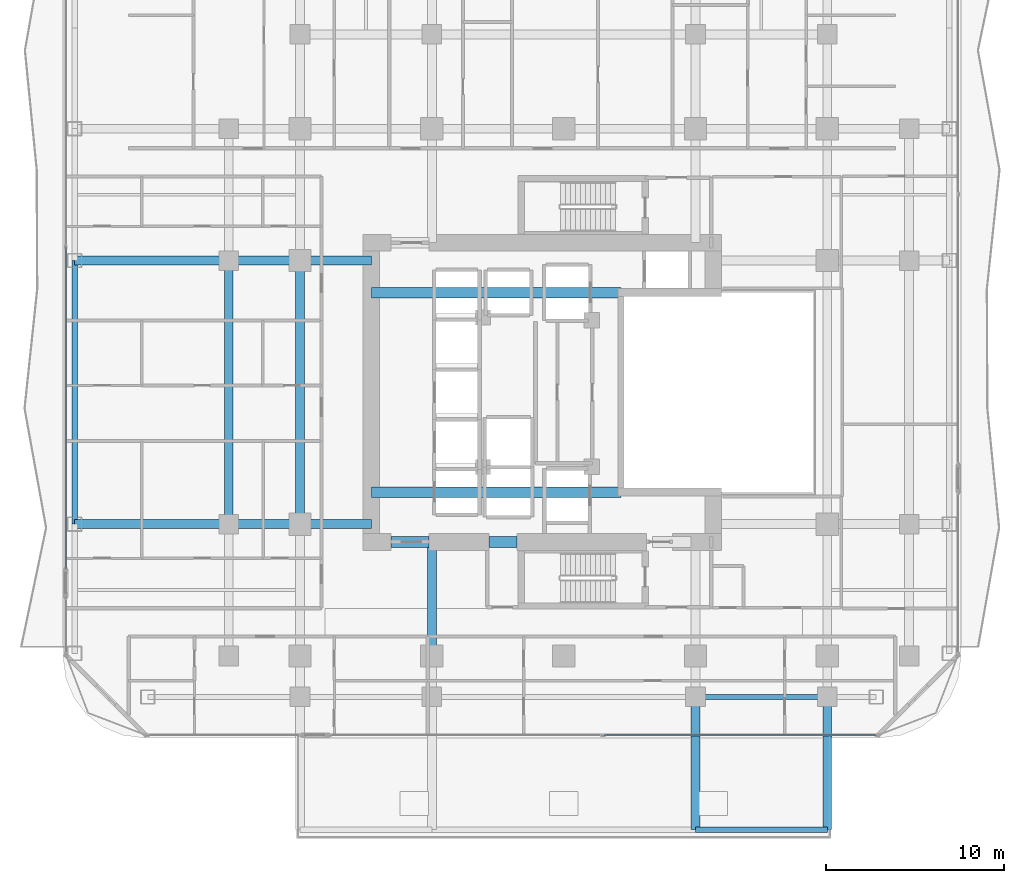
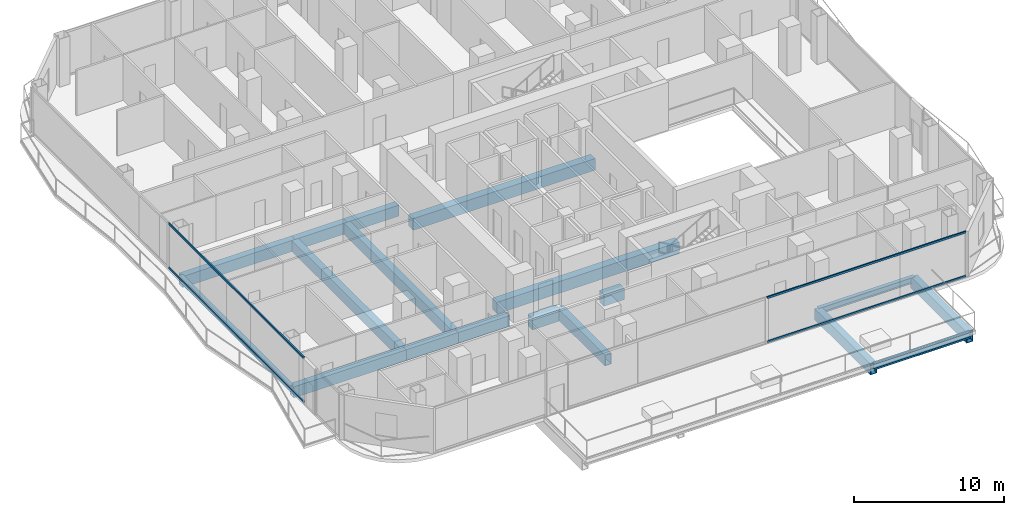
# One storey, part 5 of 29: 18 beams, 4 members, 2 elements without a shape of their own.
"""IFC4 building model written with IfcOpenShell, lengths in metres."""

from ifc_helpers import new_model, si_unit, direction, frame, origin, origin_2d, place, context, subcontext, project, spatial, rectangle, hollow_rectangle, i_section, extrude, material, layer, layer_set, material_profile, profile_set, type_object, element, aggregate, save


model = new_model("IFC4")

# Units and contexts
model_context = context("Model", 3, precision=1e-05, world=origin(), true_north=direction((0.0, 1.0)))
body_context = subcontext(model_context, "Body", "Model", "MODEL_VIEW")
ifc_project = project(units=[si_unit("LENGTHUNIT", "METRE"), si_unit("AREAUNIT", "SQUARE_METRE"), si_unit("VOLUMEUNIT", "CUBIC_METRE"), si_unit("PLANEANGLEUNIT", "RADIAN"), si_unit("MASSUNIT", "GRAM", prefix="KILO")], contexts=[model_context])

# Site, building, storey
site_placement = place(None, origin())
site = spatial("IfcSite", under=ifc_project, at=site_placement, CompositionType="ELEMENT")
building_placement = place(site_placement, origin())
building = spatial("IfcBuilding", under=site, at=building_placement, Name="Khorvyn Point Tower", CompositionType="ELEMENT")
storey_placement = place(building_placement, frame((0.0, 0.0, 85.199951171875)))
storey = spatial("IfcBuildingStorey", under=building, at=storey_placement, Name="L21", CompositionType="ELEMENT", Elevation=85.199951171875)

# Curtain wall, members
ifc_material_1 = material(Name="Anodised aluminium 6063-T6 and laminated Low-E glass", Category="aluminium")
ifc_layer = layer(ifc_material_1, 0.18994140625)
ifc_layer_set = layer_set([ifc_layer], Name="Stick-Built Finned Residential Curtain Wall CW-SYS-02")
curtain_wall_type = type_object("IfcCurtainWallType", Name="Stick-Built Finned Residential Curtain Wall CW-SYS-02", PredefinedType="NOTDEFINED", material=ifc_layer_set)
curtain_wall_1_placement = place(storey_placement, origin())
curtain_wall_1 = element("IfcCurtainWall", 1, at=curtain_wall_1_placement, inside=storey, type_object=curtain_wall_type, Name="Curtain Wall", PredefinedType="NOTDEFINED")
ifc_material_2 = material(Name="Anodised aluminium 6063-T6", Category="aluminium")
ifc_material_profile_1 = material_profile(ifc_material_2, hollow_rectangle(XDim=0.10009765625, YDim=0.159912109375, WallThickness=0.00439453125, at=origin_2d()))
ifc_profile_set_1 = profile_set([ifc_material_profile_1], Name="Anodised aluminium 6063-T6 ALU-TRN-100x160")
member_type = type_object("IfcMemberType", Name="Anodised Aluminium 6063-T6 Transom ALU-TRN-100x160", PredefinedType="USERDEFINED", material=ifc_profile_set_1)
member_1_placement = place(storey_placement, frame((17.550048828125, -19.25, 0.050048828125), z_axis=(-1.0, 0.0, 0.0), x_axis=(0.0, -1.0, 0.0)))
member_1 = element("IfcMember", 2, at=member_1_placement, type_object=member_type, Name="Transom", ObjectType="TRANSOM", PredefinedType="USERDEFINED", context=body_context, shape_type="SweptSolid", body=[
    extrude(hollow_rectangle(XDim=0.10009765625, YDim=0.159912109375, WallThickness=0.00439453125, at=origin_2d()), origin(), (0.0, 0.0, 1.0), 15.2900390625),
])
member_2_placement = place(storey_placement, frame((17.550048828125, -19.25, 3.630126953125), z_axis=(-1.0, 0.0, 0.0), x_axis=(0.0, -1.0, 0.0)))
member_2 = element("IfcMember", 3, at=member_2_placement, type_object=member_type, Name="Transom", ObjectType="TRANSOM", PredefinedType="USERDEFINED", context=body_context, shape_type="SweptSolid", body=[
    extrude(hollow_rectangle(XDim=0.10009765625, YDim=0.159912109375, WallThickness=0.00439453125, at=origin_2d()), origin(), (0.0, 0.0, 1.0), 15.2900390625),
])
aggregate(curtain_wall_1, [member_1, member_2])

curtain_wall_2_placement = place(storey_placement, origin())
curtain_wall_2 = element("IfcCurtainWall", 4, at=curtain_wall_2_placement, inside=storey, type_object=curtain_wall_type, Name="Curtain Wall", PredefinedType="NOTDEFINED")
member_3_placement = place(storey_placement, frame((-27.949951171875, -9.89990234375, 0.050048828125), z_axis=(0.0, 1.0, 0.0), x_axis=(-1.0, 0.0, 0.0)))
member_3 = element("IfcMember", 5, at=member_3_placement, type_object=member_type, Name="Transom", ObjectType="TRANSOM", PredefinedType="USERDEFINED", context=body_context, shape_type="SweptSolid", body=[
    extrude(hollow_rectangle(XDim=0.10009765625, YDim=0.159912109375, WallThickness=0.00439453125, at=origin_2d()), origin(), (0.0, 0.0, 1.0), 18.02490234375),
])
member_4_placement = place(storey_placement, frame((-27.949951171875, -9.89990234375, 3.630126953125), z_axis=(0.0, 1.0, 0.0), x_axis=(-1.0, 0.0, 0.0)))
member_4 = element("IfcMember", 6, at=member_4_placement, type_object=member_type, Name="Transom", ObjectType="TRANSOM", PredefinedType="USERDEFINED", context=body_context, shape_type="SweptSolid", body=[
    extrude(hollow_rectangle(XDim=0.10009765625, YDim=0.159912109375, WallThickness=0.00439453125, at=origin_2d()), origin(), (0.0, 0.0, 1.0), 18.02490234375),
])
aggregate(curtain_wall_2, [member_3, member_4])

# Beams
ifc_material_3 = material(Name="Concrete C50/60", Category="concrete")
ifc_material_profile_2 = material_profile(ifc_material_3, rectangle(XDim=0.60009765625, YDim=0.949951171875, at=origin_2d()))
ifc_profile_set_2 = profile_set([ifc_material_profile_2], Name="Concrete C50/60 RC600x950")
beam_type_1 = type_object("IfcBeamType", Name="Concrete C50/60 Beam RC600x950", PredefinedType="BEAM", material=ifc_profile_set_2)
for number, where, z_axis, x_axis, name in (
    (7, (-10.800048828125, -5.60009765625, -0.7548828125), (1.0, 0.0, 0.0), (0.0, 1.0, 0.0), "L21 Core Internal Tie Girder S"),
    (8, (-10.800048828125, 5.60009765625, -0.7548828125), (1.0, 0.0, 0.0), (0.0, 1.0, 0.0), "L21 Core Internal Tie Girder N"),
):
    element("IfcBeam", number, at=place(storey_placement, frame(where, z_axis=z_axis, x_axis=x_axis)), inside=storey, type_object=beam_type_1, Name=name, PredefinedType="BEAM", context=body_context, shape_type="SweptSolid", body=[
        extrude(rectangle(XDim=0.60009765625, YDim=0.949951171875, at=origin_2d()), origin(), (0.0, 0.0, 1.0), 14.02001953125),
    ])
beam_1_placement = place(storey_placement, frame((-9.699951171875, -8.39990234375, -0.7548828125), z_axis=(1.0, 0.0, 0.0), x_axis=(0.0, 1.0, 0.0)))
element("IfcBeam", 9, at=beam_1_placement, inside=storey, type_object=beam_type_1, Name="L21 Core Southwest Portal Coupling Beam", PredefinedType="BEAM", context=body_context, shape_type="SweptSolid", body=[
    extrude(rectangle(XDim=0.60009765625, YDim=0.949951171875, at=origin_2d()), origin(), (0.0, 0.0, 1.0), 2.14990234375),
])
beam_2_placement = place(storey_placement, frame((-4.199951171875, -8.39990234375, -0.7548828125), z_axis=(1.0, 0.0, 0.0), x_axis=(0.0, 1.0, 0.0)))
element("IfcBeam", 10, at=beam_2_placement, inside=storey, type_object=beam_type_1, Name="L21 Core Shuttle Portal Coupling Beam", PredefinedType="BEAM", context=body_context, shape_type="SweptSolid", body=[
    extrude(rectangle(XDim=0.60009765625, YDim=0.949951171875, at=origin_2d()), origin(), (0.0, 0.0, 1.0), 1.579833984375),
])
ifc_material_4 = material(Name="Steel S355", Category="steel")
ifc_material_profile_3 = material_profile(ifc_material_4, i_section(OverallWidth=0.300048828125, OverallDepth=0.488037109375, WebThickness=0.010986328125, FlangeThickness=0.01806640625, at=origin_2d()))
ifc_profile_set_3 = profile_set([ifc_material_profile_3], Name="Steel S355 H488x300x11x18")
beam_type_2 = type_object("IfcBeamType", Name="Steel S355 Spandrel H488x300x11x18", PredefinedType="SPANDREL", material=ifc_profile_set_3)
beam_3_placement = place(storey_placement, frame((7.39990234375, -17.10009765625, -0.52392578125), z_axis=(1.0, 0.0, 0.0), x_axis=(0.0, 1.0, 0.0)))
element("IfcBeam", 11, at=beam_3_placement, inside=storey, type_object=beam_type_2, Name="Beam", PredefinedType="SPANDREL", context=body_context, shape_type="SweptSolid", body=[
    extrude(i_section(OverallWidth=0.300048828125, OverallDepth=0.488037109375, WebThickness=0.010986328125, FlangeThickness=0.01806640625, at=origin_2d()), origin(), (0.0, 0.0, 1.0), 7.400146484375),
])
beam_4_placement = place(storey_placement, frame((-27.449951171875, -7.39990234375, -0.52392578125), z_axis=(0.0, 1.0, 0.0), x_axis=(-1.0, 0.0, 0.0)))
element("IfcBeam", 12, at=beam_4_placement, inside=storey, type_object=beam_type_2, Name="Beam", PredefinedType="SPANDREL", context=body_context, shape_type="SweptSolid", body=[
    extrude(i_section(OverallWidth=0.300048828125, OverallDepth=0.488037109375, WebThickness=0.010986328125, FlangeThickness=0.01806640625, at=origin_2d()), origin(), (0.0, 0.0, 1.0), 14.7998046875),
])
beam_5_placement = place(storey_placement, frame((7.39990234375, -24.550048828125, -0.52392578125), z_axis=(1.0, 0.0, 0.0), x_axis=(0.0, 1.0, 0.0)))
element("IfcBeam", 13, at=beam_5_placement, inside=storey, type_object=beam_type_2, Name="Beam", PredefinedType="SPANDREL", context=body_context, shape_type="SweptSolid", body=[
    extrude(i_section(OverallWidth=0.300048828125, OverallDepth=0.488037109375, WebThickness=0.010986328125, FlangeThickness=0.01806640625, at=origin_2d()), origin(), (0.0, 0.0, 1.0), 7.400146484375),
])
ifc_material_5 = material(Name="Steel S450", Category="steel")
ifc_material_profile_4 = material_profile(ifc_material_5, hollow_rectangle(XDim=0.5, YDim=0.89990234375, WallThickness=0.0400390625, at=origin_2d()))
ifc_profile_set_4 = profile_set([ifc_material_profile_4], Name="Steel S450 BOX900x500x40")
beam_type_3 = type_object("IfcBeamType", Name="Steel S450 Beam BOX900x500x40", PredefinedType="BEAM", material=ifc_profile_set_4)
beam_6_placement = place(storey_placement, frame((-27.449951171875, -7.39990234375, -0.72998046875), z_axis=(1.0, 0.0, 0.0), x_axis=(0.0, 1.0, 0.0)))
element("IfcBeam", 14, at=beam_6_placement, inside=storey, type_object=beam_type_3, Name="Beam", PredefinedType="BEAM", context=body_context, shape_type="SweptSolid", body=[
    extrude(hollow_rectangle(XDim=0.5, YDim=0.89990234375, WallThickness=0.0400390625, at=origin_2d()), origin(), (0.0, 0.0, 1.0), 8.64990234375),
])
for number, where, z_axis, x_axis, name in (
    (15, (-18.800048828125, -7.39990234375, -0.72998046875), (1.0, 0.0, 0.0), (0.0, 1.0, 0.0), "Beam"),
    (16, (-14.800048828125, -7.39990234375, -0.72998046875), (1.0, 0.0, 0.0), (0.0, 1.0, 0.0), "Beam"),
):
    element("IfcBeam", number, at=place(storey_placement, frame(where, z_axis=z_axis, x_axis=x_axis)), inside=storey, type_object=beam_type_3, Name=name, PredefinedType="BEAM", context=body_context, shape_type="SweptSolid", body=[
        extrude(hollow_rectangle(XDim=0.5, YDim=0.89990234375, WallThickness=0.0400390625, at=origin_2d()), origin(), (0.0, 0.0, 1.0), 4.0),
    ])
beam_7_placement = place(storey_placement, frame((-27.449951171875, 7.39990234375, -0.72998046875), z_axis=(1.0, 0.0, 0.0), x_axis=(0.0, 1.0, 0.0)))
element("IfcBeam", 17, at=beam_7_placement, inside=storey, type_object=beam_type_3, Name="Beam", PredefinedType="BEAM", context=body_context, shape_type="SweptSolid", body=[
    extrude(hollow_rectangle(XDim=0.5, YDim=0.89990234375, WallThickness=0.0400390625, at=origin_2d()), origin(), (0.0, 0.0, 1.0), 8.64990234375),
])
for number, where, z_axis, x_axis, name in (
    (18, (-18.800048828125, 7.39990234375, -0.72998046875), (1.0, 0.0, 0.0), (0.0, 1.0, 0.0), "Beam"),
    (19, (-14.800048828125, 7.39990234375, -0.72998046875), (1.0, 0.0, 0.0), (0.0, 1.0, 0.0), "Beam"),
):
    element("IfcBeam", number, at=place(storey_placement, frame(where, z_axis=z_axis, x_axis=x_axis)), inside=storey, type_object=beam_type_3, Name=name, PredefinedType="BEAM", context=body_context, shape_type="SweptSolid", body=[
        extrude(hollow_rectangle(XDim=0.5, YDim=0.89990234375, WallThickness=0.0400390625, at=origin_2d()), origin(), (0.0, 0.0, 1.0), 4.0),
    ])
beam_8_placement = place(storey_placement, frame((-14.800048828125, -7.39990234375, -0.72998046875), z_axis=(0.0, 1.0, 0.0), x_axis=(-1.0, 0.0, 0.0)))
element("IfcBeam", 20, at=beam_8_placement, inside=storey, type_object=beam_type_3, Name="L21 Radial Transfer Girder", PredefinedType="BEAM", context=body_context, shape_type="SweptSolid", body=[
    extrude(hollow_rectangle(XDim=0.5, YDim=0.89990234375, WallThickness=0.0400390625, at=origin_2d()), origin(), (0.0, 0.0, 1.0), 14.7998046875),
])
beam_9_placement = place(storey_placement, frame((14.800048828125, -24.550048828125, -0.72998046875), z_axis=(0.0, 1.0, 0.0), x_axis=(-1.0, 0.0, 0.0)))
element("IfcBeam", 21, at=beam_9_placement, inside=storey, type_object=beam_type_3, Name="L21 Radial Transfer Girder", PredefinedType="BEAM", context=body_context, shape_type="SweptSolid", body=[
    extrude(hollow_rectangle(XDim=0.5, YDim=0.89990234375, WallThickness=0.0400390625, at=origin_2d()), origin(), (0.0, 0.0, 1.0), 7.449951171875),
])
beam_10_placement = place(storey_placement, frame((-7.39990234375, -14.800048828125, -0.72998046875), z_axis=(0.0, 1.0, 0.0), x_axis=(-1.0, 0.0, 0.0)))
element("IfcBeam", 22, at=beam_10_placement, inside=storey, type_object=beam_type_3, Name="Beam", PredefinedType="BEAM", context=body_context, shape_type="SweptSolid", body=[
    extrude(hollow_rectangle(XDim=0.5, YDim=0.89990234375, WallThickness=0.0400390625, at=origin_2d()), origin(), (0.0, 0.0, 1.0), 6.400146484375),
])
beam_11_placement = place(storey_placement, frame((7.39990234375, -24.550048828125, -0.72998046875), z_axis=(0.0, 1.0, 0.0), x_axis=(-1.0, 0.0, 0.0)))
element("IfcBeam", 23, at=beam_11_placement, inside=storey, type_object=beam_type_3, Name="Beam", PredefinedType="BEAM", context=body_context, shape_type="SweptSolid", body=[
    extrude(hollow_rectangle(XDim=0.5, YDim=0.89990234375, WallThickness=0.0400390625, at=origin_2d()), origin(), (0.0, 0.0, 1.0), 7.449951171875),
])
beam_12_placement = place(storey_placement, frame((-18.800048828125, -7.39990234375, -0.72998046875), z_axis=(0.0, 1.0, 0.0), x_axis=(-1.0, 0.0, 0.0)))
element("IfcBeam", 24, at=beam_12_placement, inside=storey, type_object=beam_type_3, Name="Beam", PredefinedType="BEAM", context=body_context, shape_type="SweptSolid", body=[
    extrude(hollow_rectangle(XDim=0.5, YDim=0.89990234375, WallThickness=0.0400390625, at=origin_2d()), origin(), (0.0, 0.0, 1.0), 14.7998046875),
])

save(model, "model.ifc")
